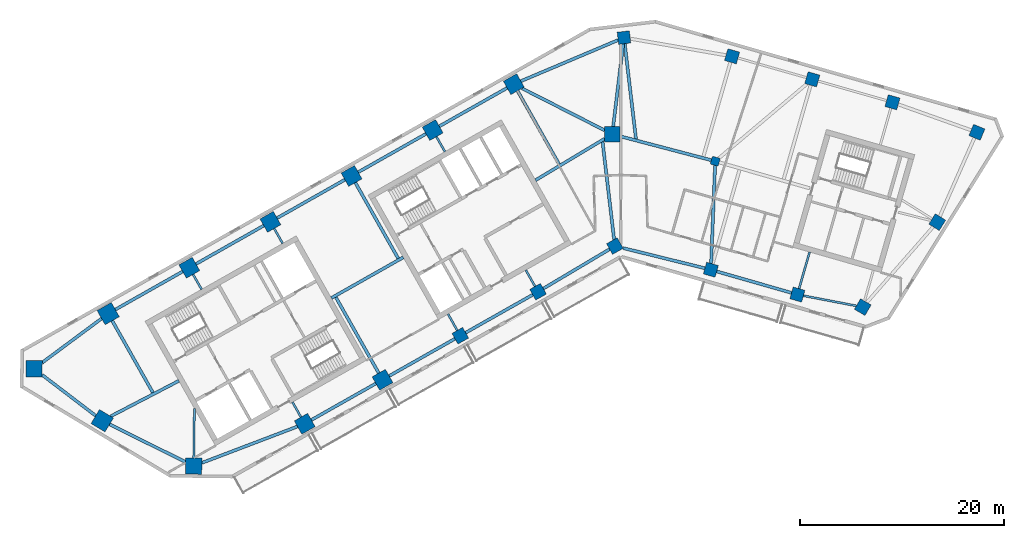
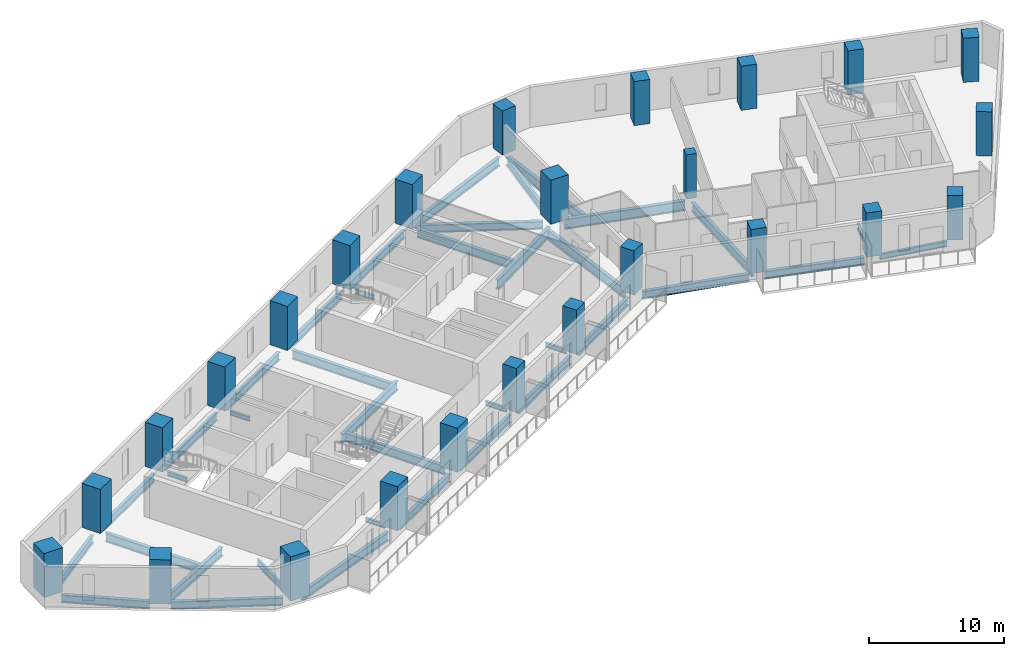
# One storey, part 1 of 9: 38 beams, 25 columns.
"""IFC4 building model written with IfcOpenShell, lengths in metres."""

from ifc_helpers import new_model, si_unit, direction, frame, origin, origin_2d, place, context, subcontext, project, spatial, rectangle, i_section, extrude, material, material_profile, profile_set, type_object, element, save


model = new_model("IFC4")

# Units and contexts
model_context = context("Model", 3, precision=1e-05, world=origin(), true_north=direction((0.0, 1.0)))
body_context = subcontext(model_context, "Body", "Model", "MODEL_VIEW")
ifc_project = project(units=[si_unit("LENGTHUNIT", "METRE"), si_unit("AREAUNIT", "SQUARE_METRE"), si_unit("VOLUMEUNIT", "CUBIC_METRE"), si_unit("PLANEANGLEUNIT", "RADIAN"), si_unit("MASSUNIT", "GRAM", prefix="KILO")], contexts=[model_context])

# Site, building, storey
site_placement = place(None, origin())
site = spatial("IfcSite", under=ifc_project, at=site_placement, CompositionType="ELEMENT")
building_placement = place(site_placement, origin())
building = spatial("IfcBuilding", under=site, at=building_placement, Name="Binnacle Exchange Tower", CompositionType="ELEMENT")
storey_placement = place(building_placement, frame((0.0, 0.0, 198.89990234375)))
storey = spatial("IfcBuildingStorey", under=building, at=storey_placement, Name="L43", CompositionType="ELEMENT", Elevation=198.89990234375)

# Columns
ifc_material_1 = material(Name="Concrete C60/75", Category="concrete")
ifc_material_profile_1 = material_profile(ifc_material_1, rectangle(XDim=0.800048828125, YDim=0.800048828125, at=origin_2d()), Name="Column 800x800 C60/75")
ifc_profile_set_1 = profile_set([ifc_material_profile_1], Name="Concrete C60/75")
column_type_1 = type_object("IfcColumnType", Name="Column 800x800 C60/75", PredefinedType="COLUMN", material=ifc_profile_set_1)
column_placement = place(storey_placement, frame((9.240966796875, 57.35009765625, 0.0), z_axis=(0.0, 0.0, 1.0), x_axis=(0.961261695938, -0.275637355817, 0.0)))
element("IfcColumn", 1, at=column_placement, inside=storey, type_object=column_type_1, Name="S:COL:C19:L43", PredefinedType="COLUMN", context=body_context, shape_type="SweptSolid", body=[
    extrude(rectangle(XDim=0.800048828125, YDim=0.800048828125, at=origin_2d()), origin(), (0.0, 0.0, 1.0), 4.0),
])
ifc_material_2 = material(Name="Concrete C70/85", Category="concrete")
ifc_material_profile_2 = material_profile(ifc_material_2, rectangle(XDim=1.199951171875, YDim=1.199951171875, at=origin_2d()), Name="Mega column 1200x1200 C70/85")
ifc_profile_set_2 = profile_set([ifc_material_profile_2], Name="Concrete C70/85")
column_type_2 = type_object("IfcColumnType", Name="Mega column 1200x1200 C70/85", PredefinedType="COLUMN", material=ifc_profile_set_2)
for number, where, z_axis, x_axis, name in (
    (2, (26.602783203125, 63.12353515625, 0.0), (0.0, 0.0, 1.0), (-0.961261695938, 0.275637355817, 0.0), "S:COL:MC52:L43"),
    (3, (18.746337890625, 65.376220703125, 0.0), (0.0, 0.0, 1.0), (-0.961261695938, 0.275637355817, 0.0), "S:COL:MC50:L43"),
    (4, (10.889892578125, 67.62890625, 0.0), (0.0, 0.0, 1.0), (-0.961261695938, 0.275637355817, 0.0), "S:COL:MC48:L43"),
    (5, (0.300048828125, 69.464111328125, 0.0), (0.0, 0.0, 1.0), (-0.993068456955, -0.117537397458, 0.0), "S:COL:MC47:L43"),
    (6, (-15.736328125, 40.257080078125, 0.0), (0.0, 0.0, 1.0), (0.87035569594, 0.492423560103, 0.0), "S:COL:MC24:L43"),
    (7, (-8.116943359375, 44.568115234375, 0.0), (0.0, 0.0, 1.0), (0.87035569594, 0.492423560103, 0.0), "S:COL:MC35:L43"),
    (8, (-0.5908203125, 49.04443359375, 0.0), (0.0, 0.0, 1.0), (0.87035569594, 0.492423560103, 0.0), "S:COL:MC46:L43"),
    (9, (8.8095703125, 46.722412109375, 0.0), (0.0, 0.0, 1.0), (0.961261695938, -0.275637355817, 0.0), "S:COL:MC49:L43"),
    (10, (17.2880859375, 44.291015625, 0.0), (0.0, 0.0, 1.0), (0.961261695938, -0.275637355817, 0.0), "S:COL:MC51:L43"),
    (11, (23.690185546875, 43.062744140625, 0.0), (0.0, 0.0, 1.0), (-0.86532642813, 0.501208711795, 0.0), "S:COL:MC53:L43"),
    (12, (30.989501953125, 51.38623046875, 0.0), (0.0, 0.0, 1.0), (0.529919264233, 0.848048096156, 0.0), "S:COL:MC55:L43"),
    (13, (34.870361328125, 60.18701171875, 0.0), (0.0, 0.0, 1.0), (-0.922814001807, 0.385245789164, 0.0), "S:COL:MC54:L43"),
):
    element("IfcColumn", number, at=place(storey_placement, frame(where, z_axis=z_axis, x_axis=x_axis)), inside=storey, type_object=column_type_2, Name=name, PredefinedType="COLUMN", context=body_context, shape_type="SweptSolid", body=[
        extrude(rectangle(XDim=1.199951171875, YDim=1.199951171875, at=origin_2d()), origin(), (0.0, 0.0, 1.0), 4.0),
    ])
ifc_material_profile_3 = material_profile(ifc_material_2, rectangle(XDim=1.5, YDim=1.5, at=origin_2d()), Name="Mega column 1500x1500 C70/85")
ifc_profile_set_3 = profile_set([ifc_material_profile_3], Name="Concrete C70/85")
column_type_3 = type_object("IfcColumnType", Name="Mega column 1500x1500 C70/85", PredefinedType="COLUMN", material=ifc_profile_set_3)
for number, where, z_axis, x_axis, name in (
    (14, (-10.4951171875, 64.901611328125, 0.0), (0.0, 0.0, 1.0), (-0.87035569594, -0.492423560103, 0.0), "S:COL:MC38:L43"),
    (15, (-18.44140625, 60.406005859375, 0.0), (0.0, 0.0, 1.0), (-0.87035569594, -0.492423560103, 0.0), "S:COL:MC29:L43"),
    (16, (-26.3876953125, 55.91015625, 0.0), (0.0, 0.0, 1.0), (-0.87035569594, -0.492423560103, 0.0), "S:COL:MC21:L43"),
    (17, (-34.333740234375, 51.414306640625, 0.0), (0.0, 0.0, 1.0), (-0.87035569594, -0.492423560103, 0.0), "S:COL:MC13:L43"),
    (18, (-42.280029296875, 46.918701171875, 0.0), (0.0, 0.0, 1.0), (-0.87035569594, -0.492423560103, 0.0), "S:COL:MC08:L43"),
    (19, (-30.9755859375, 31.63525390625, 0.0), (0.0, 0.0, 1.0), (0.87035569594, 0.492423560103, 0.0), "S:COL:MC07:L43"),
    (20, (-23.35595703125, 35.9462890625, 0.0), (0.0, 0.0, 1.0), (0.87035569594, 0.492423560103, 0.0), "S:COL:MC16:L43"),
    (21, (-0.85009765625, 60.0, 0.0), (0.0, 0.0, 1.0), (0.0, 1.0, 0.0), "S:COL:MC45:L43"),
):
    element("IfcColumn", number, at=place(storey_placement, frame(where, z_axis=z_axis, x_axis=x_axis)), inside=storey, type_object=column_type_3, Name=name, PredefinedType="COLUMN", context=body_context, shape_type="SweptSolid", body=[
        extrude(rectangle(XDim=1.5, YDim=1.5, at=origin_2d()), origin(), (0.0, 0.0, 1.0), 4.0),
    ])
ifc_material_profile_4 = material_profile(ifc_material_2, rectangle(XDim=1.60009765625, YDim=1.60009765625, at=origin_2d()), Name="Mega column 1600x1600 C70/85")
ifc_profile_set_4 = profile_set([ifc_material_profile_4], Name="Concrete C70/85")
column_type_4 = type_object("IfcColumnType", Name="Mega column 1600x1600 C70/85", PredefinedType="COLUMN", material=ifc_profile_set_4)
for number, where, z_axis, x_axis, name in (
    (22, (-50.226318359375, 42.4228515625, 0.0), (0.0, 0.0, 1.0), (-0.87035569594, -0.492423560103, 0.0), "S:COL:MC04:L43"),
    (23, (-57.492919921875, 37.02734375, 0.0), (0.0, 0.0, 1.0), (-0.013089595571, -0.999914327574, 0.0), "S:COL:MC02:L43"),
    (24, (-50.81201171875, 31.930908203125, 0.0), (0.0, 0.0, 1.0), (0.857167300702, -0.51503807491, 0.0), "S:COL:MC01:L43"),
    (25, (-41.857666015625, 27.494873046875, 0.0), (0.0, 0.0, 1.0), (0.999914327574, -0.013089595571, 0.0), "S:COL:MC03:L43"),
):
    element("IfcColumn", number, at=place(storey_placement, frame(where, z_axis=z_axis, x_axis=x_axis)), inside=storey, type_object=column_type_4, Name=name, PredefinedType="COLUMN", context=body_context, shape_type="SweptSolid", body=[
        extrude(rectangle(XDim=1.60009765625, YDim=1.60009765625, at=origin_2d()), origin(), (0.0, 0.0, 1.0), 4.0),
    ])

# Beams
ifc_material_3 = material(Name="Steel S355 (SHN355)", Category="steel")
ifc_material_profile_5 = material_profile(ifc_material_3, i_section(OverallWidth=0.200927734375, OverallDepth=0.506103515625, WebThickness=0.010986328125, FlangeThickness=0.01904296875, FilletRadius=0.02001953125, at=origin_2d()), Name="H 506x201x11x19")
ifc_profile_set_5 = profile_set([ifc_material_profile_5], Name="Steel S355 (SHN355)")
beam_type_1 = type_object("IfcBeamType", Name="Edge girder H 506x201x11x19 Steel S355 (SHN355)", PredefinedType="SPANDREL", material=ifc_profile_set_5)
beam_1_placement = place(storey_placement, frame((17.8798828125, 44.177490234375, -0.572998046875), z_axis=(0.982085171807, -0.188437563446, 0.0), x_axis=(0.188437563446, 0.982085171807, 0.0)))
element("IfcBeam", 26, at=beam_1_placement, inside=storey, type_object=beam_type_1, Name="S:BM:edge:L43:028", PredefinedType="SPANDREL", context=body_context, shape_type="SweptSolid", body=[
    extrude(i_section(OverallWidth=0.200927734375, OverallDepth=0.506103515625, WebThickness=0.010986328125, FlangeThickness=0.01904296875, FilletRadius=0.02001953125, at=origin_2d()), origin(), (0.0, 0.0, 1.0), 5.281005859375),
])
ifc_material_profile_6 = material_profile(ifc_material_3, i_section(OverallWidth=0.300048828125, OverallDepth=0.699951171875, WebThickness=0.012939453125, FlangeThickness=0.02392578125, FilletRadius=0.028076171875, at=origin_2d()), Name="H 700x300x13x24")
ifc_profile_set_6 = profile_set([ifc_material_profile_6], Name="Steel S355 (SHN355)")
beam_type_2 = type_object("IfcBeamType", Name="Edge girder H 700x300x13x24 Steel S355 (SHN355)", PredefinedType="SPANDREL", material=ifc_profile_set_6)
beam_2_placement = place(storey_placement, frame((-56.70068359375, 36.423095703125, -0.669921875), z_axis=(0.795078424379, -0.606506635649, 0.0), x_axis=(0.606506635649, 0.795078424379, 0.0)))
element("IfcBeam", 27, at=beam_2_placement, inside=storey, type_object=beam_type_2, Name="S:BM:edge:L43:011", PredefinedType="SPANDREL", context=body_context, shape_type="SweptSolid", body=[
    extrude(i_section(OverallWidth=0.300048828125, OverallDepth=0.699951171875, WebThickness=0.012939453125, FlangeThickness=0.02392578125, FilletRadius=0.028076171875, at=origin_2d()), origin(), (0.0, 0.0, 1.0), 6.6015625),
])
beam_3_placement = place(storey_placement, frame((-50.87353515625, 41.9423828125, -0.669921875), z_axis=(-0.802872533272, -0.596150732044, 0.0), x_axis=(0.596150732044, -0.802872533272, 0.0)))
element("IfcBeam", 28, at=beam_3_placement, inside=storey, type_object=beam_type_2, Name="S:BM:edge:L43:012", PredefinedType="SPANDREL", context=body_context, shape_type="SweptSolid", body=[
    extrude(i_section(OverallWidth=0.300048828125, OverallDepth=0.699951171875, WebThickness=0.012939453125, FlangeThickness=0.02392578125, FilletRadius=0.028076171875, at=origin_2d()), origin(), (0.0, 0.0, 1.0), 7.238525390625),
])
beam_4_placement = place(storey_placement, frame((-50.0927734375, 31.57470703125, -0.669921875), z_axis=(0.896061869104, -0.443929191131, 0.0), x_axis=(0.443929191131, 0.896061869104, 0.0)))
element("IfcBeam", 29, at=beam_4_placement, inside=storey, type_object=beam_type_2, Name="S:BM:edge:L43:013", PredefinedType="SPANDREL", context=body_context, shape_type="SweptSolid", body=[
    extrude(i_section(OverallWidth=0.300048828125, OverallDepth=0.699951171875, WebThickness=0.012939453125, FlangeThickness=0.02392578125, FilletRadius=0.028076171875, at=origin_2d()), origin(), (0.0, 0.0, 1.0), 8.30322265625),
])
beam_5_placement = place(storey_placement, frame((-42.932861328125, 46.54931640625, -0.669921875), z_axis=(-0.870352192811, -0.492429751811, 0.0), x_axis=(0.492429751811, -0.870352192811, 0.0)))
element("IfcBeam", 30, at=beam_5_placement, inside=storey, type_object=beam_type_2, Name="S:BM:edge:L43:014", PredefinedType="SPANDREL", context=body_context, shape_type="SweptSolid", body=[
    extrude(i_section(OverallWidth=0.300048828125, OverallDepth=0.699951171875, WebThickness=0.012939453125, FlangeThickness=0.02392578125, FilletRadius=0.028076171875, at=origin_2d()), origin(), (0.0, 0.0, 1.0), 7.57958984375),
])
beam_6_placement = place(storey_placement, frame((-34.986572265625, 51.045166015625, -0.669921875), z_axis=(-0.870355964277, -0.492423085818, 0.0), x_axis=(0.492423085818, -0.870355964277, 0.0)))
element("IfcBeam", 31, at=beam_6_placement, inside=storey, type_object=beam_type_2, Name="S:BM:edge:L43:016", PredefinedType="SPANDREL", context=body_context, shape_type="SweptSolid", body=[
    extrude(i_section(OverallWidth=0.300048828125, OverallDepth=0.699951171875, WebThickness=0.012939453125, FlangeThickness=0.02392578125, FilletRadius=0.028076171875, at=origin_2d()), origin(), (0.0, 0.0, 1.0), 7.6298828125),
])
beam_7_placement = place(storey_placement, frame((-30.32275390625, 32.004638671875, -0.669921875), z_axis=(0.870355920795, 0.492423162674, 0.0), x_axis=(-0.492423162674, 0.870355920795, 0.0)))
element("IfcBeam", 32, at=beam_7_placement, inside=storey, type_object=beam_type_2, Name="S:BM:edge:L43:017", PredefinedType="SPANDREL", context=body_context, shape_type="SweptSolid", body=[
    extrude(i_section(OverallWidth=0.300048828125, OverallDepth=0.699951171875, WebThickness=0.012939453125, FlangeThickness=0.02392578125, FilletRadius=0.028076171875, at=origin_2d()), origin(), (0.0, 0.0, 1.0), 7.25439453125),
])
beam_8_placement = place(storey_placement, frame((-27.040283203125, 55.541015625, -0.669921875), z_axis=(-0.870342250182, -0.492447324643, 0.0), x_axis=(0.492447324643, -0.870342250182, 0.0)))
element("IfcBeam", 33, at=beam_8_placement, inside=storey, type_object=beam_type_2, Name="S:BM:edge:L43:018", PredefinedType="SPANDREL", context=body_context, shape_type="SweptSolid", body=[
    extrude(i_section(OverallWidth=0.300048828125, OverallDepth=0.699951171875, WebThickness=0.012939453125, FlangeThickness=0.02392578125, FilletRadius=0.028076171875, at=origin_2d()), origin(), (0.0, 0.0, 1.0), 7.6298828125),
])
beam_9_placement = place(storey_placement, frame((-22.703125, 36.3154296875, -0.669921875), z_axis=(0.87035151347, 0.49243095252, 0.0), x_axis=(-0.49243095252, 0.87035151347, 0.0)))
element("IfcBeam", 34, at=beam_9_placement, inside=storey, type_object=beam_type_2, Name="S:BM:edge:L43:019", PredefinedType="SPANDREL", context=body_context, shape_type="SweptSolid", body=[
    extrude(i_section(OverallWidth=0.300048828125, OverallDepth=0.699951171875, WebThickness=0.012939453125, FlangeThickness=0.02392578125, FilletRadius=0.028076171875, at=origin_2d()), origin(), (0.0, 0.0, 1.0), 7.404541015625),
])
beam_10_placement = place(storey_placement, frame((-19.093994140625, 60.03662109375, -0.669921875), z_axis=(-0.870363722936, -0.492409372165, 0.0), x_axis=(0.492409372165, -0.870363722936, 0.0)))
element("IfcBeam", 35, at=beam_10_placement, inside=storey, type_object=beam_type_2, Name="S:BM:edge:L43:020", PredefinedType="SPANDREL", context=body_context, shape_type="SweptSolid", body=[
    extrude(i_section(OverallWidth=0.300048828125, OverallDepth=0.699951171875, WebThickness=0.012939453125, FlangeThickness=0.02392578125, FilletRadius=0.028076171875, at=origin_2d()), origin(), (0.0, 0.0, 1.0), 7.6298828125),
])
beam_11_placement = place(storey_placement, frame((-15.214111328125, 40.552734375, -0.669921875), z_axis=(0.870353295418, 0.492427802988, 0.0), x_axis=(-0.492427802988, 0.870353295418, 0.0)))
element("IfcBeam", 36, at=beam_11_placement, inside=storey, type_object=beam_type_2, Name="S:BM:edge:L43:021", PredefinedType="SPANDREL", context=body_context, shape_type="SweptSolid", body=[
    extrude(i_section(OverallWidth=0.300048828125, OverallDepth=0.699951171875, WebThickness=0.012939453125, FlangeThickness=0.02392578125, FilletRadius=0.028076171875, at=origin_2d()), origin(), (0.0, 0.0, 1.0), 7.554443359375),
])
beam_12_placement = place(storey_placement, frame((-11.14794921875, 64.532470703125, -0.669921875), z_axis=(-0.870355964277, -0.492423085818, 0.0), x_axis=(0.492423085818, -0.870355964277, 0.0)))
element("IfcBeam", 37, at=beam_12_placement, inside=storey, type_object=beam_type_2, Name="S:BM:edge:L43:022", PredefinedType="SPANDREL", context=body_context, shape_type="SweptSolid", body=[
    extrude(i_section(OverallWidth=0.300048828125, OverallDepth=0.699951171875, WebThickness=0.012939453125, FlangeThickness=0.02392578125, FilletRadius=0.028076171875, at=origin_2d()), origin(), (0.0, 0.0, 1.0), 7.6298828125),
])
beam_13_placement = place(storey_placement, frame((-7.60107421875, 44.875, -0.669921875), z_axis=(0.85946222832, 0.511199254783, 0.0), x_axis=(-0.511199254783, 0.85946222832, 0.0)))
element("IfcBeam", 38, at=beam_13_placement, inside=storey, type_object=beam_type_2, Name="S:BM:edge:L43:023", PredefinedType="SPANDREL", context=body_context, shape_type="SweptSolid", body=[
    extrude(i_section(OverallWidth=0.300048828125, OverallDepth=0.699951171875, WebThickness=0.012939453125, FlangeThickness=0.02392578125, FilletRadius=0.028076171875, at=origin_2d()), origin(), (0.0, 0.0, 1.0), 7.556396484375),
])
beam_14_placement = place(storey_placement, frame((0.21044921875, 48.846435546875, -0.669921875), z_axis=(0.970817017645, -0.239821429924, 0.0), x_axis=(0.239821429924, 0.970817017645, 0.0)))
element("IfcBeam", 39, at=beam_14_placement, inside=storey, type_object=beam_type_2, Name="S:BM:edge:L43:025", PredefinedType="SPANDREL", context=body_context, shape_type="SweptSolid", body=[
    extrude(i_section(OverallWidth=0.300048828125, OverallDepth=0.699951171875, WebThickness=0.012939453125, FlangeThickness=0.02392578125, FilletRadius=0.028076171875, at=origin_2d()), origin(), (0.0, 0.0, 1.0), 8.257080078125),
])
beam_15_placement = place(storey_placement, frame((9.38623046875, 46.556884765625, -0.669921875), z_axis=(0.961266012815, -0.275622300635, 0.0), x_axis=(0.275622300635, 0.961266012815, 0.0)))
element("IfcBeam", 40, at=beam_15_placement, inside=storey, type_object=beam_type_2, Name="S:BM:edge:L43:026", PredefinedType="SPANDREL", context=body_context, shape_type="SweptSolid", body=[
    extrude(i_section(OverallWidth=0.300048828125, OverallDepth=0.699951171875, WebThickness=0.012939453125, FlangeThickness=0.02392578125, FilletRadius=0.028076171875, at=origin_2d()), origin(), (0.0, 0.0, 1.0), 7.620361328125),
])
ifc_material_profile_7 = material_profile(ifc_material_3, i_section(OverallWidth=0.300048828125, OverallDepth=0.800048828125, WebThickness=0.013916015625, FlangeThickness=0.02587890625, FilletRadius=0.028076171875, at=origin_2d()), Name="H 800x300x14x26")
ifc_profile_set_7 = profile_set([ifc_material_profile_7], Name="Steel S355 (SHN355)")
beam_type_3 = type_object("IfcBeamType", Name="Edge girder H 800x300x14x26 Steel S355 (SHN355)", PredefinedType="SPANDREL", material=ifc_profile_set_7)
beam_16_placement = place(storey_placement, frame((-41.0537109375, 27.80078125, -0.719970703125), z_axis=(0.934633884233, 0.355611448695, 0.0), x_axis=(-0.355611448695, 0.934633884233, 0.0)))
element("IfcBeam", 41, at=beam_16_placement, inside=storey, type_object=beam_type_3, Name="S:BM:edge:L43:015", PredefinedType="SPANDREL", context=body_context, shape_type="SweptSolid", body=[
    extrude(i_section(OverallWidth=0.300048828125, OverallDepth=0.800048828125, WebThickness=0.013916015625, FlangeThickness=0.02587890625, FilletRadius=0.028076171875, at=origin_2d()), origin(), (0.0, 0.0, 1.0), 10.024169921875),
])
beam_17_placement = place(storey_placement, frame((-0.275390625, 69.220947265625, -0.719970703125), z_axis=(-0.921111875234, -0.389297974953, 0.0), x_axis=(0.389297974953, -0.921111875234, 0.0)))
element("IfcBeam", 42, at=beam_17_placement, inside=storey, type_object=beam_type_3, Name="S:BM:edge:L43:024", PredefinedType="SPANDREL", context=body_context, shape_type="SweptSolid", body=[
    extrude(i_section(OverallWidth=0.300048828125, OverallDepth=0.800048828125, WebThickness=0.013916015625, FlangeThickness=0.02587890625, FilletRadius=0.028076171875, at=origin_2d()), origin(), (0.0, 0.0, 1.0), 10.340087890625),
])
ifc_material_profile_8 = material_profile(ifc_material_3, i_section(OverallWidth=0.199951171875, OverallDepth=0.39990234375, WebThickness=0.008056640625, FlangeThickness=0.012939453125, FilletRadius=0.01611328125, at=origin_2d()), Name="H 400x200x8x13")
ifc_profile_set_8 = profile_set([ifc_material_profile_8], Name="Steel S355 (SHN355)")
beam_type_4 = type_object("IfcBeamType", Name="Floor beam H 400x200x8x13 Steel S355 (SHN355)", PredefinedType="BEAM", material=ifc_profile_set_8)
beam_18_placement = place(storey_placement, frame((-41.91064453125, 46.265869140625, -0.52001953125), z_axis=(0.49243456751, -0.870349468157, 0.0), x_axis=(0.870349468157, 0.49243456751, 0.0)))
element("IfcBeam", 43, at=beam_18_placement, inside=storey, type_object=beam_type_4, Name="S:BM:cross:L43:035", PredefinedType="BEAM", context=body_context, shape_type="SweptSolid", body=[
    extrude(i_section(OverallWidth=0.199951171875, OverallDepth=0.39990234375, WebThickness=0.008056640625, FlangeThickness=0.012939453125, FilletRadius=0.01611328125, at=origin_2d()), origin(), (0.0, 0.0, 1.0), 1.68408203125),
])
beam_19_placement = place(storey_placement, frame((-33.964599609375, 50.76171875, -0.52001953125), z_axis=(0.492482237839, -0.870322495063, 0.0), x_axis=(0.870322495063, 0.492482237839, 0.0)))
element("IfcBeam", 44, at=beam_19_placement, inside=storey, type_object=beam_type_4, Name="S:BM:cross:L43:037", PredefinedType="BEAM", context=body_context, shape_type="SweptSolid", body=[
    extrude(i_section(OverallWidth=0.199951171875, OverallDepth=0.39990234375, WebThickness=0.008056640625, FlangeThickness=0.012939453125, FilletRadius=0.01611328125, at=origin_2d()), origin(), (0.0, 0.0, 1.0), 1.6845703125),
])
for number, where, z_axis, x_axis, name in (
    (45, (-31.344970703125, 32.2880859375, -0.52001953125), (-0.49243456751, 0.870349468157, 0.0), (-0.870349468157, -0.49243456751, 0.0), "S:BM:cross:L43:038"),
    (46, (-18.072021484375, 59.753173828125, -0.52001953125), (0.49243456751, -0.870349468157, 0.0), (0.870349468157, 0.49243456751, 0.0), "S:BM:cross:L43:041"),
):
    element("IfcBeam", number, at=place(storey_placement, frame(where, z_axis=z_axis, x_axis=x_axis)), inside=storey, type_object=beam_type_4, Name=name, PredefinedType="BEAM", context=body_context, shape_type="SweptSolid", body=[
        extrude(i_section(OverallWidth=0.199951171875, OverallDepth=0.39990234375, WebThickness=0.008056640625, FlangeThickness=0.012939453125, FilletRadius=0.01611328125, at=origin_2d()), origin(), (0.0, 0.0, 1.0), 1.68408203125),
    ])
beam_20_placement = place(storey_placement, frame((-16.031982421875, 40.779296875, -0.52001953125), z_axis=(-0.492307212856, 0.870421511781, 0.0), x_axis=(-0.870421511781, -0.492307212856, 0.0)))
element("IfcBeam", 47, at=beam_20_placement, inside=storey, type_object=beam_type_4, Name="S:BM:cross:L43:042", PredefinedType="BEAM", context=body_context, shape_type="SweptSolid", body=[
    extrude(i_section(OverallWidth=0.199951171875, OverallDepth=0.39990234375, WebThickness=0.008056640625, FlangeThickness=0.012939453125, FilletRadius=0.01611328125, at=origin_2d()), origin(), (0.0, 0.0, 1.0), 1.83447265625),
])
beam_21_placement = place(storey_placement, frame((-8.412353515625, 45.09033203125, -0.52001953125), z_axis=(-0.492465079532, 0.87033220407, 0.0), x_axis=(-0.87033220407, -0.492465079532, 0.0)))
element("IfcBeam", 48, at=beam_21_placement, inside=storey, type_object=beam_type_4, Name="S:BM:cross:L43:044", PredefinedType="BEAM", context=body_context, shape_type="SweptSolid", body=[
    extrude(i_section(OverallWidth=0.199951171875, OverallDepth=0.39990234375, WebThickness=0.008056640625, FlangeThickness=0.012939453125, FilletRadius=0.01611328125, at=origin_2d()), origin(), (0.0, 0.0, 1.0), 1.834228515625),
])
ifc_material_profile_9 = material_profile(ifc_material_3, i_section(OverallWidth=0.199951171875, OverallDepth=0.5, WebThickness=0.010009765625, FlangeThickness=0.01611328125, FilletRadius=0.02001953125, at=origin_2d()), Name="H 500x200x10x16")
ifc_profile_set_9 = profile_set([ifc_material_profile_9], Name="Steel S355 (SHN355)")
beam_type_5 = type_object("IfcBeamType", Name="Floor beam H 500x200x10x16 Steel S355 (SHN355)", PredefinedType="BEAM", material=ifc_profile_set_9)
beam_22_placement = place(storey_placement, frame((17.45361328125, 44.867919921875, -0.56982421875), z_axis=(0.275644746045, 0.961259576794, 0.0), x_axis=(-0.961259576794, 0.275644746045, 0.0)))
element("IfcBeam", 49, at=beam_22_placement, inside=storey, type_object=beam_type_5, Name="S:BM:cross:L43:049", PredefinedType="BEAM", context=body_context, shape_type="SweptSolid", body=[
    extrude(i_section(OverallWidth=0.199951171875, OverallDepth=0.5, WebThickness=0.010009765625, FlangeThickness=0.01611328125, FilletRadius=0.02001953125, at=origin_2d()), origin(), (0.0, 0.0, 1.0), 3.735107421875),
])
ifc_material_profile_10 = material_profile(ifc_material_3, i_section(OverallWidth=0.200927734375, OverallDepth=0.60595703125, WebThickness=0.011962890625, FlangeThickness=0.02001953125, FilletRadius=0.02197265625, at=origin_2d()), Name="H 606x201x12x20")
ifc_profile_set_10 = profile_set([ifc_material_profile_10], Name="Steel S355 (SHN355)")
beam_type_6 = type_object("IfcBeamType", Name="Floor beam H 606x201x12x20 Steel S355 (SHN355)", PredefinedType="BEAM", material=ifc_profile_set_10)
beam_23_placement = place(storey_placement, frame((-41.84716796875, 28.294677734375, -0.622802734375), z_axis=(0.013085908175, 0.999914375838, 0.0), x_axis=(-0.999914375838, 0.013085908175, 0.0)))
element("IfcBeam", 50, at=beam_23_placement, inside=storey, type_object=beam_type_6, Name="S:BM:cross:L43:036", PredefinedType="BEAM", context=body_context, shape_type="SweptSolid", body=[
    extrude(i_section(OverallWidth=0.200927734375, OverallDepth=0.60595703125, WebThickness=0.011962890625, FlangeThickness=0.02001953125, FilletRadius=0.02197265625, at=origin_2d()), origin(), (0.0, 0.0, 1.0), 4.850830078125),
])
ifc_material_profile_11 = material_profile(ifc_material_3, i_section(OverallWidth=0.302001953125, OverallDepth=0.80810546875, WebThickness=0.01611328125, FlangeThickness=0.030029296875, FilletRadius=0.028076171875, at=origin_2d()), Name="H 808x302x16x30")
ifc_profile_set_11 = profile_set([ifc_material_profile_11], Name="Steel S355 (SHN355)")
beam_type_7 = type_object("IfcBeamType", Name="Floor beam H 808x302x16x30 Steel S355 (SHN355)", PredefinedType="BEAM", material=ifc_profile_set_11)
beam_24_placement = place(storey_placement, frame((-49.832275390625, 41.7265625, -0.723876953125), z_axis=(0.492430056331, -0.870352020519, 0.0), x_axis=(0.870352020519, 0.492430056331, 0.0)))
element("IfcBeam", 51, at=beam_24_placement, inside=storey, type_object=beam_type_7, Name="S:BM:cross:L43:034", PredefinedType="BEAM", context=body_context, shape_type="SweptSolid", body=[
    extrude(i_section(OverallWidth=0.302001953125, OverallDepth=0.80810546875, WebThickness=0.01611328125, FlangeThickness=0.030029296875, FilletRadius=0.028076171875, at=origin_2d()), origin(), (0.0, 0.0, 1.0), 8.09130859375),
])
for number, where, z_axis, x_axis, name in (
    (52, (-26.018310546875, 55.25732421875, -0.723876953125), (0.4924220214, -0.870356566495, 0.0), (0.870356566495, 0.4924220214, 0.0), "S:BM:cross:L43:039"),
    (53, (-23.725341796875, 36.59912109375, -0.723876953125), (-0.4924220214, 0.870356566495, 0.0), (-0.870356566495, -0.4924220214, 0.0), "S:BM:cross:L43:040"),
):
    element("IfcBeam", number, at=place(storey_placement, frame(where, z_axis=z_axis, x_axis=x_axis)), inside=storey, type_object=beam_type_7, Name=name, PredefinedType="BEAM", context=body_context, shape_type="SweptSolid", body=[
        extrude(i_section(OverallWidth=0.302001953125, OverallDepth=0.80810546875, WebThickness=0.01611328125, FlangeThickness=0.030029296875, FilletRadius=0.028076171875, at=origin_2d()), origin(), (0.0, 0.0, 1.0), 8.5341796875),
    ])
beam_25_placement = place(storey_placement, frame((-10.125732421875, 64.248779296875, -0.723876953125), z_axis=(0.492423973828, -0.870355461866, 0.0), x_axis=(0.870355461866, 0.492423973828, 0.0)))
element("IfcBeam", 54, at=beam_25_placement, inside=storey, type_object=beam_type_7, Name="S:BM:cross:L43:043", PredefinedType="BEAM", context=body_context, shape_type="SweptSolid", body=[
    extrude(i_section(OverallWidth=0.302001953125, OverallDepth=0.80810546875, WebThickness=0.01611328125, FlangeThickness=0.030029296875, FilletRadius=0.028076171875, at=origin_2d()), origin(), (0.0, 0.0, 1.0), 8.269287109375),
])
ifc_material_profile_12 = material_profile(ifc_material_3, i_section(OverallWidth=0.302001953125, OverallDepth=0.912109375, WebThickness=0.01806640625, FlangeThickness=0.033935546875, FilletRadius=0.028076171875, at=origin_2d()), Name="H 912x302x18x34")
ifc_profile_set_12 = profile_set([ifc_material_profile_12], Name="Steel S355 (SHN355)")
beam_type_8 = type_object("IfcBeamType", Name="Floor beam H 912x302x18x34 Steel S355 (SHN355)", PredefinedType="BEAM", material=ifc_profile_set_12)
beam_26_placement = place(storey_placement, frame((-0.66748046875, 49.690673828125, -0.77587890625), z_axis=(-0.117518220547, 0.993070726504, 0.0), x_axis=(-0.993070726504, -0.117518220547, 0.0)))
element("IfcBeam", 55, at=beam_26_placement, inside=storey, type_object=beam_type_8, Name="S:BM:cross:L43:045", PredefinedType="BEAM", context=body_context, shape_type="SweptSolid", body=[
    extrude(i_section(OverallWidth=0.302001953125, OverallDepth=0.912109375, WebThickness=0.01806640625, FlangeThickness=0.033935546875, FilletRadius=0.028076171875, at=origin_2d()), origin(), (0.0, 0.0, 1.0), 9.645751953125),
])
beam_27_placement = place(storey_placement, frame((0.37060546875, 68.868408203125, -0.77587890625), z_axis=(0.117552497625, -0.993066669616, 0.0), x_axis=(0.993066669616, 0.117552497625, 0.0)))
element("IfcBeam", 56, at=beam_27_placement, inside=storey, type_object=beam_type_8, Name="S:BM:cross:L43:046", PredefinedType="BEAM", context=body_context, shape_type="SweptSolid", body=[
    extrude(i_section(OverallWidth=0.302001953125, OverallDepth=0.912109375, WebThickness=0.01806640625, FlangeThickness=0.033935546875, FilletRadius=0.028076171875, at=origin_2d()), origin(), (0.0, 0.0, 1.0), 9.39990234375),
])
ifc_material_profile_13 = material_profile(ifc_material_3, i_section(OverallWidth=0.300048828125, OverallDepth=0.699951171875, WebThickness=0.012939453125, FlangeThickness=0.02392578125, FilletRadius=0.028076171875, at=origin_2d()), Name="H 700x300x13x24")
ifc_profile_set_13 = profile_set([ifc_material_profile_13], Name="Steel S355 (SHN355)")
beam_type_9 = type_object("IfcBeamType", Name="Spine girder H 700x300x13x24 Steel S355 (SHN355)", PredefinedType="BEAM", material=ifc_profile_set_13)
beam_28_placement = place(storey_placement, frame((-0.7587890625, 60.75, -0.669921875), z_axis=(0.120620829002, 0.992698652971, 0.0), x_axis=(-0.992698652971, 0.120620829002, 0.0)))
element("IfcBeam", 57, at=beam_28_placement, inside=storey, type_object=beam_type_9, Name="S:BM:spine:L43:005", PredefinedType="BEAM", context=body_context, shape_type="SweptSolid", body=[
    extrude(i_section(OverallWidth=0.300048828125, OverallDepth=0.699951171875, WebThickness=0.012939453125, FlangeThickness=0.02392578125, FilletRadius=0.028076171875, at=origin_2d()), origin(), (0.0, 0.0, 1.0), 8.160888671875),
])
ifc_material_profile_14 = material_profile(ifc_material_3, i_section(OverallWidth=0.302001953125, OverallDepth=0.7080078125, WebThickness=0.014892578125, FlangeThickness=0.028076171875, FilletRadius=0.028076171875, at=origin_2d()), Name="H 708x302x15x28")
ifc_profile_set_14 = profile_set([ifc_material_profile_14], Name="Steel S355 (SHN355)")
beam_type_10 = type_object("IfcBeamType", Name="Spine girder H 708x302x15x28 Steel S355 (SHN355)", PredefinedType="BEAM", material=ifc_profile_set_14)
beam_29_placement = place(storey_placement, frame((-1.60009765625, 60.381103515625, -0.673828125), z_axis=(-0.891476459322, 0.453067017641, 0.0), x_axis=(-0.453067017641, -0.891476459322, 0.0)))
element("IfcBeam", 58, at=beam_29_placement, inside=storey, type_object=beam_type_10, Name="S:BM:spine:L43:004", PredefinedType="BEAM", context=body_context, shape_type="SweptSolid", body=[
    extrude(i_section(OverallWidth=0.302001953125, OverallDepth=0.7080078125, WebThickness=0.014892578125, FlangeThickness=0.028076171875, FilletRadius=0.028076171875, at=origin_2d()), origin(), (0.0, 0.0, 1.0), 9.07763671875),
])
ifc_material_profile_15 = material_profile(ifc_material_3, i_section(OverallWidth=0.302001953125, OverallDepth=0.80810546875, WebThickness=0.01611328125, FlangeThickness=0.030029296875, FilletRadius=0.028076171875, at=origin_2d()), Name="H 808x302x16x30")
ifc_profile_set_15 = profile_set([ifc_material_profile_15], Name="Steel S355 (SHN355)")
beam_type_11 = type_object("IfcBeamType", Name="Spine girder H 808x302x16x30 Steel S355 (SHN355)", PredefinedType="BEAM", material=ifc_profile_set_15)
beam_30_placement = place(storey_placement, frame((-49.979736328125, 32.3642578125, -0.723876953125), z_axis=(0.886978621009, 0.461810486968, 0.0), x_axis=(-0.461810486968, 0.886978621009, 0.0)))
element("IfcBeam", 59, at=beam_30_placement, inside=storey, type_object=beam_type_11, Name="S:BM:spine:L43:001", PredefinedType="BEAM", context=body_context, shape_type="SweptSolid", body=[
    extrude(i_section(OverallWidth=0.302001953125, OverallDepth=0.80810546875, WebThickness=0.01611328125, FlangeThickness=0.030029296875, FilletRadius=0.028076171875, at=origin_2d()), origin(), (0.0, 0.0, 1.0), 7.522216796875),
])
beam_31_placement = place(storey_placement, frame((-28.365478515625, 43.951416015625, -0.723876953125), z_axis=(0.870350319004, 0.492433063684, 0.0), x_axis=(-0.492433063684, 0.870350319004, 0.0)))
element("IfcBeam", 60, at=beam_31_placement, inside=storey, type_object=beam_type_11, Name="S:BM:spine:L43:002", PredefinedType="BEAM", context=body_context, shape_type="SweptSolid", body=[
    extrude(i_section(OverallWidth=0.302001953125, OverallDepth=0.80810546875, WebThickness=0.01611328125, FlangeThickness=0.030029296875, FilletRadius=0.028076171875, at=origin_2d()), origin(), (0.0, 0.0, 1.0), 8.0908203125),
])
beam_32_placement = place(storey_placement, frame((9.22412109375, 56.93896484375, -0.723876953125), z_axis=(-0.040556634715, -0.999177241224, 0.0), x_axis=(0.999177241224, -0.040556634715, 0.0)))
element("IfcBeam", 61, at=beam_32_placement, inside=storey, type_object=beam_type_11, Name="S:BM:spine:L43:007", PredefinedType="BEAM", context=body_context, shape_type="SweptSolid", body=[
    extrude(i_section(OverallWidth=0.302001953125, OverallDepth=0.80810546875, WebThickness=0.01611328125, FlangeThickness=0.030029296875, FilletRadius=0.028076171875, at=origin_2d()), origin(), (0.0, 0.0, 1.0), 9.607421875),
])
ifc_material_profile_16 = material_profile(ifc_material_3, i_section(OverallWidth=0.302001953125, OverallDepth=0.912109375, WebThickness=0.01806640625, FlangeThickness=0.033935546875, FilletRadius=0.028076171875, at=origin_2d()), Name="H 912x302x18x34")
ifc_profile_set_16 = profile_set([ifc_material_profile_16], Name="Steel S355 (SHN355)")
beam_type_12 = type_object("IfcBeamType", Name="Spine girder H 912x302x18x34 Steel S355 (SHN355)", PredefinedType="BEAM", material=ifc_profile_set_16)
beam_33_placement = place(storey_placement, frame((-8.36328125, 55.489990234375, -0.77587890625), z_axis=(0.857386401747, 0.514673253724, 0.0), x_axis=(-0.514673253724, 0.857386401747, 0.0)))
element("IfcBeam", 62, at=beam_33_placement, inside=storey, type_object=beam_type_12, Name="S:BM:spine:L43:003", PredefinedType="BEAM", context=body_context, shape_type="SweptSolid", body=[
    extrude(i_section(OverallWidth=0.302001953125, OverallDepth=0.912109375, WebThickness=0.01806640625, FlangeThickness=0.033935546875, FilletRadius=0.028076171875, at=origin_2d()), origin(), (0.0, 0.0, 1.0), 7.88818359375),
])
beam_34_placement = place(storey_placement, frame((-0.10009765625, 59.802978515625, -0.77587890625), z_axis=(0.967214448634, -0.253961041017, 0.0), x_axis=(0.253961041017, 0.967214448634, 0.0)))
element("IfcBeam", 63, at=beam_34_placement, inside=storey, type_object=beam_type_12, Name="S:BM:spine:L43:006", PredefinedType="BEAM", context=body_context, shape_type="SweptSolid", body=[
    extrude(i_section(OverallWidth=0.302001953125, OverallDepth=0.912109375, WebThickness=0.01806640625, FlangeThickness=0.033935546875, FilletRadius=0.028076171875, at=origin_2d()), origin(), (0.0, 0.0, 1.0), 9.257568359375),
])

save(model, "model.ifc")
